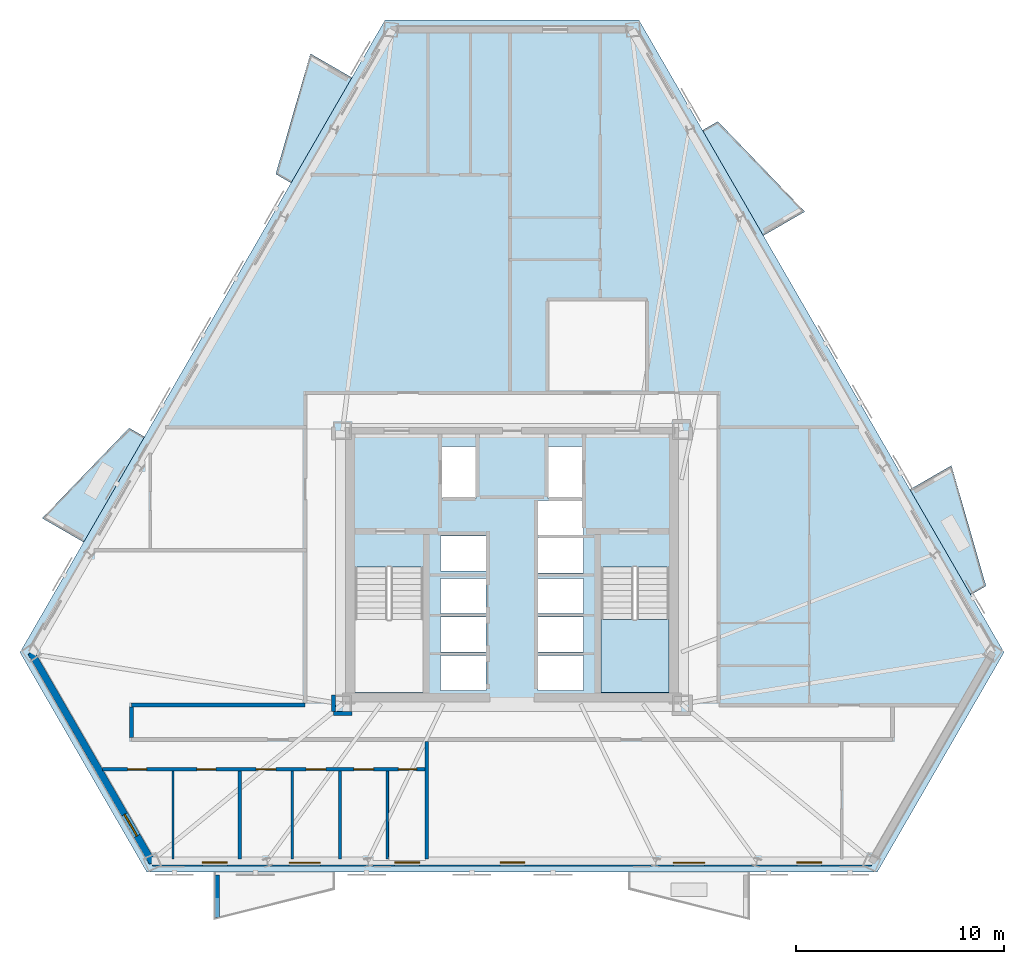
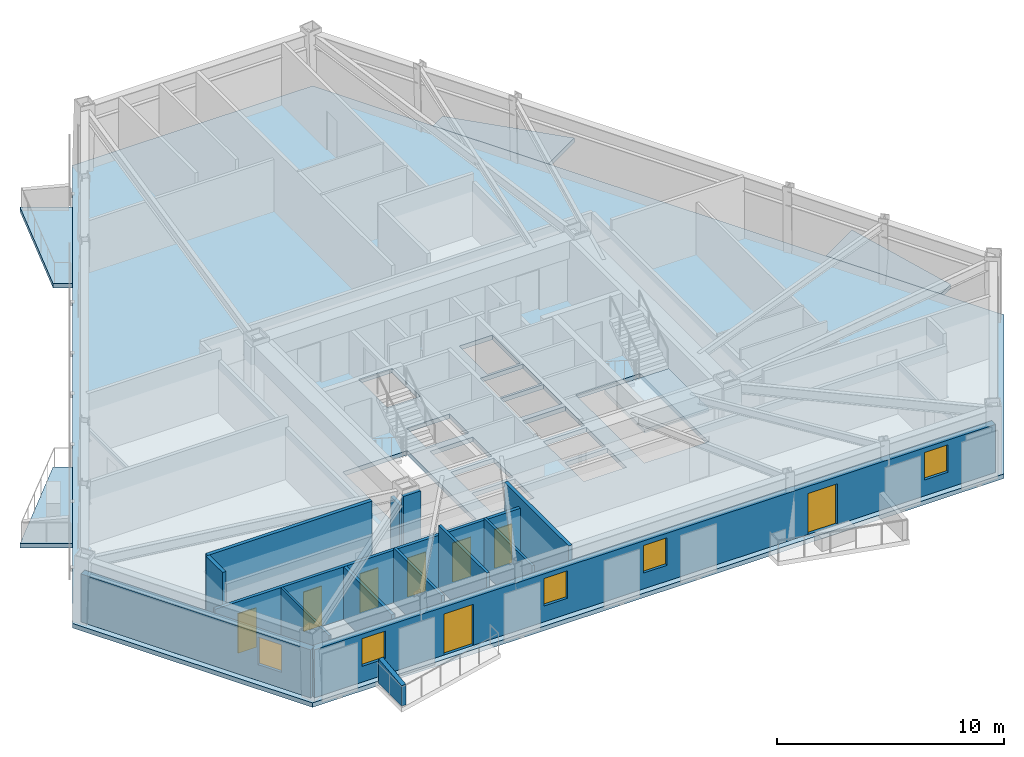
# One storey, part 2 of 9: 14 walls, 8 doors, 6 slabs, 5 windows, 13 openings, 1 element without a shape of its own.
"""IFC4 building model written with IfcOpenShell, lengths in metres."""

from ifc_helpers import new_model, si_unit, direction, frame, frame_2d, origin, place, context, subcontext, project, spatial, polyline, rectangle, outline, extrude, material, layer, layer_set, type_object, element, fill, aggregate, save


model = new_model("IFC4")

# Units and contexts
model_context = context("Model", 3, precision=1e-05, world=origin(), true_north=direction((0.0, 1.0)))
body_context = subcontext(model_context, "Body", "Model", "MODEL_VIEW")
ifc_project = project(units=[si_unit("LENGTHUNIT", "METRE"), si_unit("AREAUNIT", "SQUARE_METRE"), si_unit("VOLUMEUNIT", "CUBIC_METRE"), si_unit("PLANEANGLEUNIT", "RADIAN"), si_unit("MASSUNIT", "GRAM", prefix="KILO")], contexts=[model_context])

# Site, building, storey
site_placement = place(None, origin())
site = spatial("IfcSite", under=ifc_project, at=site_placement, CompositionType="ELEMENT")
building_placement = place(site_placement, origin())
building = spatial("IfcBuilding", under=site, at=building_placement, Name="Oramaril Tower", CompositionType="ELEMENT")
storey_placement = place(building_placement, frame((0.0, 0.0, 104.10009765625)))
storey = spatial("IfcBuildingStorey", under=building, at=storey_placement, Name="L27", CompositionType="ELEMENT", Elevation=104.10009765625)

# Slabs
ifc_material_1 = material(Name="Concrete C40/50", Category="concrete")
ifc_layer_1 = layer(ifc_material_1, 0.199951171875)
ifc_layer_set_1 = layer_set([ifc_layer_1], Name="SLT-BAL20")
slab_type_1 = type_object("IfcSlabType", Name="SLT-BAL20", PredefinedType="FLOOR", material=ifc_layer_set_1)
slab_1_placement = place(storey_placement, frame((0.0, 0.0, -0.239990234375)))
element("IfcSlab", 1, at=slab_1_placement, inside=storey, type_object=slab_type_1, Name="L27 Cantilevered Balcony Slab L27-BAL-NE2", PredefinedType="FLOOR", context=body_context, shape_type="SweptSolid", body=[
    extrude(outline(polyline([(49.58837890625, 33.531982421875), (46.663330078125, 38.59814453125), (47.401123046875, 39.024169921875), (51.581787109375, 34.682861328125), (49.58837890625, 33.531982421875)])), origin(), (0.0, 0.0, 1.0), 0.239990234375),
])
slab_2_placement = place(storey_placement, frame((0.0, 0.0, -0.239990234375)))
element("IfcSlab", 2, at=slab_2_placement, inside=storey, type_object=slab_type_1, Name="L27 Cantilevered Balcony Slab L27-BAL-NW1", PredefinedType="FLOOR", context=body_context, shape_type="SweptSolid", body=[
    extrude(outline(polyline([(29.79931640625, 41.13134765625), (26.874267578125, 36.065185546875), (26.136474609375, 36.4912109375), (27.8056640625, 42.2822265625), (29.79931640625, 41.13134765625)])), origin(), (0.0, 0.0, 1.0), 0.239990234375),
])
ifc_material_2 = material(Name="Concrete C50/60", Category="concrete")
ifc_layer_2 = layer(ifc_material_2, 0.239990234375)
ifc_layer_set_2 = layer_set([ifc_layer_2], Name="SLT-FLR24")
slab_type_2 = type_object("IfcSlabType", Name="SLT-FLR24", PredefinedType="FLOOR", material=ifc_layer_set_2)
slab_3_placement = place(storey_placement, frame((0.0, 0.0, -0.239990234375)))
element("IfcSlab", 3, at=slab_3_placement, inside=storey, type_object=slab_type_2, Name="L27 Structural Floor Slab", PredefinedType="FLOOR", context=body_context, shape_type="SweptSolid", body=[
    extrude(outline(polyline([(13.834228515625, 13.483154296875), (19.936767578125, 2.913330078125), (55.063232421875, 2.913330078125), (61.165771484375, 13.483154296875), (43.6025390625, 43.903564453125), (31.3974609375, 43.903564453125), (13.834228515625, 13.483154296875)]), holes=[polyline([(29.949951171875, 17.58935546875), (29.949951171875, 11.550048828125), (33.219970703125, 11.550048828125), (33.219970703125, 17.58935546875), (29.949951171875, 17.58935546875)]), polyline([(41.780029296875, 17.58935546875), (41.780029296875, 11.550048828125), (45.050048828125, 11.550048828125), (45.050048828125, 17.58935546875), (41.780029296875, 17.58935546875)]), polyline([(34.110107421875, 20.909912109375), (35.7900390625, 20.909912109375), (35.7900390625, 23.389892578125), (34.110107421875, 23.389892578125), (34.110107421875, 20.909912109375)]), polyline([(39.2099609375, 20.909912109375), (40.889892578125, 20.909912109375), (40.889892578125, 23.389892578125), (39.2099609375, 23.389892578125), (39.2099609375, 20.909912109375)]), polyline([(34.06005859375, 11.659912109375), (36.239990234375, 11.659912109375), (36.239990234375, 13.340087890625), (34.06005859375, 13.340087890625), (34.06005859375, 11.659912109375)]), polyline([(34.06005859375, 13.510009765625), (36.239990234375, 13.510009765625), (36.239990234375, 15.18994140625), (34.06005859375, 15.18994140625), (34.06005859375, 13.510009765625)]), polyline([(34.06005859375, 15.360107421875), (36.239990234375, 15.360107421875), (36.239990234375, 17.0400390625), (34.06005859375, 17.0400390625), (34.06005859375, 15.360107421875)]), polyline([(38.760009765625, 11.659912109375), (40.93994140625, 11.659912109375), (40.93994140625, 13.340087890625), (38.760009765625, 13.340087890625), (38.760009765625, 11.659912109375)]), polyline([(38.760009765625, 13.510009765625), (40.93994140625, 13.510009765625), (40.93994140625, 15.18994140625), (38.760009765625, 15.18994140625), (38.760009765625, 13.510009765625)]), polyline([(38.760009765625, 15.360107421875), (40.93994140625, 15.360107421875), (40.93994140625, 17.0400390625), (38.760009765625, 17.0400390625), (38.760009765625, 15.360107421875)]), polyline([(34.06005859375, 17.409912109375), (36.239990234375, 17.409912109375), (36.239990234375, 19.090087890625), (34.06005859375, 19.090087890625), (34.06005859375, 17.409912109375)]), polyline([(38.760009765625, 17.31005859375), (40.93994140625, 17.31005859375), (40.93994140625, 18.989990234375), (38.760009765625, 18.989990234375), (38.760009765625, 17.31005859375)]), polyline([(38.760009765625, 19.110107421875), (40.93994140625, 19.110107421875), (40.93994140625, 20.7900390625), (38.760009765625, 20.7900390625), (38.760009765625, 19.110107421875)])]), origin(), (0.0, 0.0, 1.0), 0.239990234375),
])

# Stair, slab
ifc_material_3 = material(Name="Concrete C50/60", Category="concrete")
stair_type = type_object("IfcStairType", Name="STT-DG-3600", PredefinedType="HALF_TURN_STAIR", material=ifc_material_3)
stair_placement = place(storey_placement, origin())
stair = element("IfcStair", 4, at=stair_placement, inside=storey, type_object=stair_type, Name="L27 Protected PFP Exit Stair ST-2", PredefinedType="HALF_TURN_STAIR")
ifc_material_4 = material(Name="Concrete C50/60", Category="concrete")
ifc_layer_3 = layer(ifc_material_4, 0.199951171875)
ifc_layer_set_3 = layer_set([ifc_layer_3], Name="SLT-LND20")
slab_type_3 = type_object("IfcSlabType", Name="SLT-LND20", PredefinedType="LANDING", material=ifc_layer_set_3)
slab_4_placement = place(storey_placement, frame((0.0, 0.0, 1.599853515625)))
slab_4 = element("IfcSlab", 5, at=slab_4_placement, type_object=slab_type_3, Name="ST-2 landing 1", PredefinedType="LANDING", context=body_context, shape_type="SweptSolid", body=[
    extrude(outline(polyline([(41.780029296875, 15.070068359375), (41.780029296875, 11.550048828125), (45.050048828125, 11.550048828125), (45.050048828125, 15.070068359375), (41.780029296875, 15.070068359375)])), origin(), (0.0, 0.0, 1.0), 0.199951171875),
])
aggregate(stair, [slab_4])

# Slabs
ifc_material_5 = material(Name="Concrete C40/50", Category="concrete")
ifc_layer_4 = layer(ifc_material_5, 0.18994140625)
ifc_layer_set_4 = layer_set([ifc_layer_4], Name="SLT-PLN19")
slab_type_4 = type_object("IfcSlabType", Name="SLT-PLN19", PredefinedType="FLOOR", material=ifc_layer_set_4)
slab_5_placement = place(storey_placement, frame((0.0, 0.0, -0.239990234375)))
element("IfcSlab", 6, at=slab_5_placement, inside=storey, type_object=slab_type_4, Name="L27 Tree Planter Balcony Slab L27-BAL-NE1", PredefinedType="FLOOR", context=body_context, shape_type="SweptSolid", body=[
    extrude(outline(polyline([(59.564208984375, 16.25341796875), (56.63916015625, 21.319580078125), (58.6328125, 22.470703125), (60.302001953125, 16.679443359375), (59.564208984375, 16.25341796875)])), origin(), (0.0, 0.0, 1.0), 0.239990234375),
])
slab_6_placement = place(storey_placement, frame((0.0, 0.0, -0.239990234375)))
element("IfcSlab", 7, at=slab_6_placement, inside=storey, type_object=slab_type_4, Name="L27 Tree Planter Balcony Slab L27-BAL-NW2", PredefinedType="FLOOR", context=body_context, shape_type="SweptSolid", body=[
    extrude(outline(polyline([(19.823486328125, 23.852783203125), (16.8984375, 18.78662109375), (14.90478515625, 19.9375), (19.085693359375, 24.27880859375), (19.823486328125, 23.852783203125)])), origin(), (0.0, 0.0, 1.0), 0.239990234375),
])

# Wall, opening, window
ifc_material_6 = material(Name="Warm Cream Limestone", Category="masonry")
ifc_layer_5 = layer(ifc_material_6, 0.340087890625)
ifc_layer_set_5 = layer_set([ifc_layer_5], Name="WT-EXT34")
wall_type_1 = type_object("IfcWallType", Name="WT-EXT34", PredefinedType="SOLIDWALL", material=ifc_layer_set_5)
wall_1_placement = place(storey_placement, frame((14.365478515625, 13.483154296875, 0.0), z_axis=(0.0, 0.0, 1.0), x_axis=(0.499998829152, -0.866026079773, 0.0)))
wall_1 = element("IfcWall", 8, at=wall_1_placement, inside=storey, type_object=wall_type_1, Name="L27 Tower Limestone Facade Wall 1M", PredefinedType="SOLIDWALL", context=body_context, shape_type="SweptSolid", body=[
    extrude(rectangle(XDim=11.673828125, YDim=0.340087890625, at=frame_2d((5.8369140625, 0.0))), origin(), (0.0, 0.0, 1.0), 2.577880859375),
])
opening_1_placement = place(wall_1_placement, frame((8.9951171875, 0.0, 0.85009765625)))
opening_1 = element("IfcOpeningElement", 9, at=opening_1_placement, cuts=wall_1, Name="Opening WN-09", PredefinedType="OPENING", context=body_context, shape_type="SweptSolid", body=[
    extrude(rectangle(XDim=1.199951171875, YDim=1.47998046875, at=frame_2d((0.60009765625, 0.739990234375))), frame((0.0, 0.169921875, 0.0), z_axis=(0.0, -1.0, 0.0), x_axis=(1.0, 0.0, 0.0)), (0.0, 0.0, 1.0), 0.340087890625),
])
ifc_material_7 = material(Name="Coastal Low-E Insulated Glass", Category="glass")
window_type = type_object("IfcWindowType", Name="WNT-09", PartitioningType="SINGLE_PANEL", PredefinedType="WINDOW", material=ifc_material_7)
window_1_placement = place(opening_1_placement, origin())
window_1 = element("IfcWindow", 10, at=window_1_placement, inside=storey, type_object=window_type, Name="L27 Apartment Bedroom Window WN-09", OverallHeight=1.47998046875, OverallWidth=1.199951171875, PartitioningType="SINGLE_PANEL", PredefinedType="WINDOW", context=body_context, shape_type="SweptSolid", body=[
    extrude(rectangle(XDim=1.199951171875, YDim=1.47998046875, at=frame_2d((0.60009765625, 0.739990234375))), frame((0.0, 0.030029296875, 0.0), z_axis=(0.0, -1.0, 0.0), x_axis=(1.0, 0.0, 0.0)), (0.0, 0.0, 1.0), 0.06005859375),
])
fill(opening_1, window_1)

# Wall, openings, doors, windows
wall_2_placement = place(storey_placement, frame((20.202392578125, 3.373291015625, 0.0), z_axis=(0.0, 0.0, 1.0), x_axis=(1.0, 0.0, 0.0)))
wall_2 = element("IfcWall", 11, at=wall_2_placement, inside=storey, type_object=wall_type_1, Name="L27 Tower Limestone Facade Wall 2M", PredefinedType="SOLIDWALL", context=body_context, shape_type="SweptSolid", body=[
    extrude(rectangle(XDim=34.59521484375, YDim=0.340087890625, at=frame_2d((17.297607421875, 0.0))), origin(), (0.0, 0.0, 1.0), 2.577880859375),
])
opening_2_placement = place(wall_2_placement, frame((6.579345703125, 0.0, 0.0)))
opening_2 = element("IfcOpeningElement", 12, at=opening_2_placement, cuts=wall_2, Name="Opening D-L27-BAL-S1", PredefinedType="OPENING", context=body_context, shape_type="SweptSolid", body=[
    extrude(rectangle(XDim=1.5, YDim=2.199951171875, at=frame_2d((0.75, 1.10009765625))), frame((0.0, 0.169921875, 0.0), z_axis=(0.0, -1.0, 0.0), x_axis=(1.0, 0.0, 0.0)), (0.0, 0.0, 1.0), 0.340087890625),
])
opening_3_placement = place(wall_2_placement, frame((25.06103515625, 0.0, 0.0)))
opening_3 = element("IfcOpeningElement", 13, at=opening_3_placement, cuts=wall_2, Name="Opening D-L27-BAL-S2", PredefinedType="OPENING", context=body_context, shape_type="SweptSolid", body=[
    extrude(rectangle(XDim=1.5, YDim=2.199951171875, at=frame_2d((0.75, 1.10009765625))), frame((0.0, 0.169921875, 0.0), z_axis=(0.0, -1.0, 0.0), x_axis=(1.0, 0.0, 0.0)), (0.0, 0.0, 1.0), 0.340087890625),
])
opening_4_placement = place(wall_2_placement, frame((16.720458984375, 0.0, 0.85009765625)))
opening_4 = element("IfcOpeningElement", 14, at=opening_4_placement, cuts=wall_2, Name="Opening WN-09", PredefinedType="OPENING", context=body_context, shape_type="SweptSolid", body=[
    extrude(rectangle(XDim=1.199951171875, YDim=1.47998046875, at=frame_2d((0.60009765625, 0.739990234375))), frame((0.0, 0.169921875, 0.0), z_axis=(0.0, -1.0, 0.0), x_axis=(1.0, 0.0, 0.0)), (0.0, 0.0, 1.0), 0.340087890625),
])
opening_5_placement = place(wall_2_placement, frame((30.995361328125, 0.0, 0.85009765625)))
opening_5 = element("IfcOpeningElement", 15, at=opening_5_placement, cuts=wall_2, Name="Opening WN-09", PredefinedType="OPENING", context=body_context, shape_type="SweptSolid", body=[
    extrude(rectangle(XDim=1.199951171875, YDim=1.47998046875, at=frame_2d((0.60009765625, 0.739990234375))), frame((0.0, 0.169921875, 0.0), z_axis=(0.0, -1.0, 0.0), x_axis=(1.0, 0.0, 0.0)), (0.0, 0.0, 1.0), 0.340087890625),
])
opening_6_placement = place(wall_2_placement, frame((2.40185546875, 0.0, 0.85009765625)))
opening_6 = element("IfcOpeningElement", 16, at=opening_6_placement, cuts=wall_2, Name="Opening WN-09", PredefinedType="OPENING", context=body_context, shape_type="SweptSolid", body=[
    extrude(rectangle(XDim=1.199951171875, YDim=1.47998046875, at=frame_2d((0.60009765625, 0.739990234375))), frame((0.0, 0.169921875, 0.0), z_axis=(0.0, -1.0, 0.0), x_axis=(1.0, 0.0, 0.0)), (0.0, 0.0, 1.0), 0.340087890625),
])
opening_7_placement = place(wall_2_placement, frame((11.652587890625, 0.0, 0.85009765625)))
opening_7 = element("IfcOpeningElement", 17, at=opening_7_placement, cuts=wall_2, Name="Opening WN-09", PredefinedType="OPENING", context=body_context, shape_type="SweptSolid", body=[
    extrude(rectangle(XDim=1.199951171875, YDim=1.47998046875, at=frame_2d((0.60009765625, 0.739990234375))), frame((0.0, 0.169921875, 0.0), z_axis=(0.0, -1.0, 0.0), x_axis=(1.0, 0.0, 0.0)), (0.0, 0.0, 1.0), 0.340087890625),
])
ifc_material_8 = material(Name="Anodised Aluminium 6063-T6", Category="aluminium")
door_type_1 = type_object("IfcDoorType", Name="DT-BAL", OperationType="NOTDEFINED", PredefinedType="DOOR", material=ifc_material_8)
door_1_placement = place(opening_2_placement, origin())
door_1 = element("IfcDoor", 18, at=door_1_placement, inside=storey, type_object=door_type_1, Name="L27 Balcony Glazed Door L27-BAL-S1", OperationType="SINGLE_SWING_RIGHT", OverallHeight=2.199951171875, OverallWidth=1.5, PredefinedType="DOOR", context=body_context, shape_type="SweptSolid", body=[
    extrude(rectangle(XDim=1.5, YDim=2.199951171875, at=frame_2d((0.75, 1.10009765625))), frame((0.0, 0.02490234375, 0.0), z_axis=(0.0, -1.0, 0.0), x_axis=(1.0, 0.0, 0.0)), (0.0, 0.0, 1.0), 0.050048828125),
])
fill(opening_2, door_1)
door_2_placement = place(opening_3_placement, origin())
door_2 = element("IfcDoor", 19, at=door_2_placement, inside=storey, type_object=door_type_1, Name="L27 Balcony Glazed Door L27-BAL-S2", OperationType="SINGLE_SWING_LEFT", OverallHeight=2.199951171875, OverallWidth=1.5, PredefinedType="DOOR", context=body_context, shape_type="SweptSolid", body=[
    extrude(rectangle(XDim=1.5, YDim=2.199951171875, at=frame_2d((0.75, 1.10009765625))), frame((0.0, 0.02490234375, 0.0), z_axis=(0.0, -1.0, 0.0), x_axis=(1.0, 0.0, 0.0)), (0.0, 0.0, 1.0), 0.050048828125),
])
fill(opening_3, door_2)
window_2_placement = place(opening_4_placement, origin())
window_2 = element("IfcWindow", 20, at=window_2_placement, inside=storey, type_object=window_type, Name="L27 Chicago Bay Window WN-09", OverallHeight=1.47998046875, OverallWidth=1.199951171875, PartitioningType="SINGLE_PANEL", PredefinedType="WINDOW", context=body_context, shape_type="SweptSolid", body=[
    extrude(rectangle(XDim=1.199951171875, YDim=1.47998046875, at=frame_2d((0.60009765625, 0.739990234375))), frame((0.0, 0.030029296875, 0.0), z_axis=(0.0, -1.0, 0.0), x_axis=(1.0, 0.0, 0.0)), (0.0, 0.0, 1.0), 0.06005859375),
])
fill(opening_4, window_2)
window_3_placement = place(opening_5_placement, origin())
window_3 = element("IfcWindow", 21, at=window_3_placement, inside=storey, type_object=window_type, Name="L27 Chicago Bay Window WN-09", OverallHeight=1.47998046875, OverallWidth=1.199951171875, PartitioningType="SINGLE_PANEL", PredefinedType="WINDOW", context=body_context, shape_type="SweptSolid", body=[
    extrude(rectangle(XDim=1.199951171875, YDim=1.47998046875, at=frame_2d((0.60009765625, 0.739990234375))), frame((0.0, 0.030029296875, 0.0), z_axis=(0.0, -1.0, 0.0), x_axis=(1.0, 0.0, 0.0)), (0.0, 0.0, 1.0), 0.06005859375),
])
fill(opening_5, window_3)
window_4_placement = place(opening_6_placement, origin())
window_4 = element("IfcWindow", 22, at=window_4_placement, inside=storey, type_object=window_type, Name="L27 Chicago Bay Window WN-09", OverallHeight=1.47998046875, OverallWidth=1.199951171875, PartitioningType="SINGLE_PANEL", PredefinedType="WINDOW", context=body_context, shape_type="SweptSolid", body=[
    extrude(rectangle(XDim=1.199951171875, YDim=1.47998046875, at=frame_2d((0.60009765625, 0.739990234375))), frame((0.0, 0.030029296875, 0.0), z_axis=(0.0, -1.0, 0.0), x_axis=(1.0, 0.0, 0.0)), (0.0, 0.0, 1.0), 0.06005859375),
])
fill(opening_6, window_4)
window_5_placement = place(opening_7_placement, origin())
window_5 = element("IfcWindow", 23, at=window_5_placement, inside=storey, type_object=window_type, Name="L27 Chicago Bay Window WN-09", OverallHeight=1.47998046875, OverallWidth=1.199951171875, PartitioningType="SINGLE_PANEL", PredefinedType="WINDOW", context=body_context, shape_type="SweptSolid", body=[
    extrude(rectangle(XDim=1.199951171875, YDim=1.47998046875, at=frame_2d((0.60009765625, 0.739990234375))), frame((0.0, 0.030029296875, 0.0), z_axis=(0.0, -1.0, 0.0), x_axis=(1.0, 0.0, 0.0)), (0.0, 0.0, 1.0), 0.06005859375),
])
fill(opening_7, window_5)

# Walls
ifc_material_9 = material(Name="Concrete C40/50", Category="concrete")
ifc_layer_6 = layer(ifc_material_9, 0.22998046875)
ifc_layer_set_6 = layer_set([ifc_layer_6], Name="WT-PRP23")
wall_type_2 = type_object("IfcWallType", Name="WT-PRP23", PredefinedType="PARAPET", material=ifc_layer_set_6)
wall_3_placement = place(storey_placement, frame((23.316650390625, 2.775390625, 0.0), z_axis=(0.0, 0.0, 1.0), x_axis=(0.0, -1.0, 0.0)))
element("IfcWall", 24, at=wall_3_placement, inside=storey, type_object=wall_type_2, Name="L27 Trapezoidal Balcony Frame Cheek L27-BAL-S1-L", PredefinedType="PARAPET", context=body_context, shape_type="SweptSolid", body=[
    extrude(outline(polyline([(0.0, 0.0), (2.0419921875, 0.0), (2.0419921875, 1.099853515625), (0.0, 1.31982421875), (0.0, 0.0)])), frame((0.0, 0.114990234375, 0.0), z_axis=(0.0, -1.0, 0.0), x_axis=(1.0, 0.0, 0.0)), (0.0, 0.0, 1.0), 0.22998046875),
])
ifc_material_10 = material(Name="Acoustic Gypsum Board Partition")
ifc_layer_7 = layer(ifc_material_10, 0.10009765625)
ifc_layer_set_7 = layer_set([ifc_layer_7], Name="WT-PT10")
wall_type_3 = type_object("IfcWallType", Name="WT-PT10", PredefinedType="PARTITIONING", material=ifc_layer_set_7)
wall_4_placement = place(storey_placement, frame((21.18994140625, 3.54736328125, 0.0), z_axis=(0.0, 0.0, 1.0), x_axis=(0.0, 1.0, 0.0)))
element("IfcWall", 25, at=wall_4_placement, inside=storey, type_object=wall_type_3, Name="L27 Interior Partition PT-10", PredefinedType="PARTITIONING", context=body_context, shape_type="SweptSolid", body=[
    extrude(rectangle(XDim=4.238525390625, YDim=0.10009765625, at=frame_2d((2.119140625, 0.0))), origin(), (0.0, 0.0, 1.0), 2.81396484375),
])
ifc_material_11 = material(Name="Acoustic Gypsum Board Partition")
ifc_layer_8 = layer(ifc_material_11, 0.1201171875)
ifc_layer_set_8 = layer_set([ifc_layer_8], Name="WT-PT12")
wall_type_4 = type_object("IfcWallType", Name="WT-PT12", PredefinedType="PARTITIONING", material=ifc_layer_set_8)
wall_5_placement = place(storey_placement, frame((31.510009765625, 3.54736328125, 0.0), z_axis=(0.0, 0.0, 1.0), x_axis=(0.0, 1.0, 0.0)))
element("IfcWall", 26, at=wall_5_placement, inside=storey, type_object=wall_type_4, Name="L27 Interior Partition PT-12", PredefinedType="PARTITIONING", context=body_context, shape_type="SweptSolid", body=[
    extrude(rectangle(XDim=4.238525390625, YDim=0.1201171875, at=frame_2d((2.119140625, 0.0))), origin(), (0.0, 0.0, 1.0), 2.94580078125),
])
ifc_material_12 = material(Name="Acoustic Gypsum Board Partition")
ifc_layer_9 = layer(ifc_material_12, 0.139892578125)
ifc_layer_set_9 = layer_set([ifc_layer_9], Name="WT-PT14")
wall_type_5 = type_object("IfcWallType", Name="WT-PT14", PredefinedType="PARTITIONING", material=ifc_layer_set_9)
wall_6_placement = place(storey_placement, frame((26.929931640625, 3.54736328125, 0.0), z_axis=(0.0, 0.0, 1.0), x_axis=(0.0, 1.0, 0.0)))
element("IfcWall", 27, at=wall_6_placement, inside=storey, type_object=wall_type_5, Name="L27 Interior Partition PT-14", PredefinedType="PARTITIONING", context=body_context, shape_type="SweptSolid", body=[
    extrude(rectangle(XDim=4.238525390625, YDim=0.139892578125, at=frame_2d((2.119140625, 0.0))), origin(), (0.0, 0.0, 1.0), 2.94580078125),
])
wall_7_placement = place(storey_placement, frame((29.219970703125, 3.54736328125, 0.0), z_axis=(0.0, 0.0, 1.0), x_axis=(0.0, 1.0, 0.0)))
element("IfcWall", 28, at=wall_7_placement, inside=storey, type_object=wall_type_5, Name="L27 Interior Partition PT-14", PredefinedType="PARTITIONING", context=body_context, shape_type="SweptSolid", body=[
    extrude(rectangle(XDim=4.238525390625, YDim=0.139892578125, at=frame_2d((2.119140625, 0.0))), origin(), (0.0, 0.0, 1.0), 3.35986328125),
])

# Wall, openings, doors
ifc_material_13 = material(Name="Acoustic Gypsum Board Partition")
ifc_layer_10 = layer(ifc_material_13, 0.159912109375)
ifc_layer_set_10 = layer_set([ifc_layer_10], Name="WT-PT16")
wall_type_6 = type_object("IfcWallType", Name="WT-PT16", PredefinedType="PARTITIONING", material=ifc_layer_set_10)
wall_8_placement = place(storey_placement, frame((17.806884765625, 7.8701171875, 0.0), z_axis=(0.0, 0.0, 1.0), x_axis=(1.0, 0.0, 0.0)))
wall_8 = element("IfcWall", 29, at=wall_8_placement, inside=storey, type_object=wall_type_6, Name="L27 Interior Partition PT-16", PredefinedType="PARTITIONING", context=body_context, shape_type="SweptSolid", body=[
    extrude(rectangle(XDim=15.64306640625, YDim=0.159912109375, at=frame_2d((7.821533203125, 0.0))), origin(), (0.0, 0.0, 1.0), 2.81396484375),
])
opening_8_placement = place(wall_8_placement, frame((1.201904296875, 0.0, 0.0)))
opening_8 = element("IfcOpeningElement", 30, at=opening_8_placement, cuts=wall_8, Name="Opening D-L27-01", PredefinedType="OPENING", context=body_context, shape_type="SweptSolid", body=[
    extrude(rectangle(XDim=0.919921875, YDim=2.1201171875, at=frame_2d((0.4599609375, 1.06005859375))), frame((0.0, 0.080078125, 0.0), z_axis=(0.0, -1.0, 0.0), x_axis=(1.0, 0.0, 0.0)), (0.0, 0.0, 1.0), 0.159912109375),
])
opening_9_placement = place(wall_8_placement, frame((4.530029296875, 0.0, 0.0)))
opening_9 = element("IfcOpeningElement", 31, at=opening_9_placement, cuts=wall_8, Name="Opening D-L27-02", PredefinedType="OPENING", context=body_context, shape_type="SweptSolid", body=[
    extrude(rectangle(XDim=0.919921875, YDim=2.1201171875, at=frame_2d((0.4599609375, 1.06005859375))), frame((0.0, 0.080078125, 0.0), z_axis=(0.0, -1.0, 0.0), x_axis=(1.0, 0.0, 0.0)), (0.0, 0.0, 1.0), 0.159912109375),
])
opening_10_placement = place(wall_8_placement, frame((7.38427734375, 0.0, 0.0)))
opening_10 = element("IfcOpeningElement", 32, at=opening_10_placement, cuts=wall_8, Name="Opening D-L27-03", PredefinedType="OPENING", context=body_context, shape_type="SweptSolid", body=[
    extrude(rectangle(XDim=0.949951171875, YDim=2.10009765625, at=frame_2d((0.47509765625, 1.050048828125))), frame((0.0, 0.080078125, 0.0), z_axis=(0.0, -1.0, 0.0), x_axis=(1.0, 0.0, 0.0)), (0.0, 0.0, 1.0), 0.159912109375),
])
opening_11_placement = place(wall_8_placement, frame((9.794189453125, 0.0, 0.0)))
opening_11 = element("IfcOpeningElement", 33, at=opening_11_placement, cuts=wall_8, Name="Opening D-L27-04", PredefinedType="OPENING", context=body_context, shape_type="SweptSolid", body=[
    extrude(rectangle(XDim=0.949951171875, YDim=2.10009765625, at=frame_2d((0.47509765625, 1.050048828125))), frame((0.0, 0.080078125, 0.0), z_axis=(0.0, -1.0, 0.0), x_axis=(1.0, 0.0, 0.0)), (0.0, 0.0, 1.0), 0.159912109375),
])
opening_12_placement = place(wall_8_placement, frame((12.0849609375, 0.0, 0.0)))
opening_12 = element("IfcOpeningElement", 34, at=opening_12_placement, cuts=wall_8, Name="Opening D-L27-05", PredefinedType="OPENING", context=body_context, shape_type="SweptSolid", body=[
    extrude(rectangle(XDim=0.949951171875, YDim=2.10009765625, at=frame_2d((0.47509765625, 1.050048828125))), frame((0.0, 0.080078125, 0.0), z_axis=(0.0, -1.0, 0.0), x_axis=(1.0, 0.0, 0.0)), (0.0, 0.0, 1.0), 0.159912109375),
])
opening_13_placement = place(wall_8_placement, frame((14.222900390625, 0.0, 0.0)))
opening_13 = element("IfcOpeningElement", 35, at=opening_13_placement, cuts=wall_8, Name="Opening D-L27-06", PredefinedType="OPENING", context=body_context, shape_type="SweptSolid", body=[
    extrude(rectangle(XDim=0.8798828125, YDim=2.080078125, at=frame_2d((0.43994140625, 1.0400390625))), frame((0.0, 0.080078125, 0.0), z_axis=(0.0, -1.0, 0.0), x_axis=(1.0, 0.0, 0.0)), (0.0, 0.0, 1.0), 0.159912109375),
])
ifc_material_14 = material(Name="FSC Brazilian Freijo Hardwood", Category="wood")
door_type_2 = type_object("IfcDoorType", Name="DT-BATH", OperationType="NOTDEFINED", PredefinedType="DOOR", material=ifc_material_14)
door_3_placement = place(opening_13_placement, origin())
door_3 = element("IfcDoor", 36, at=door_3_placement, inside=storey, type_object=door_type_2, Name="L27 Flat L27-U2 Bathroom Door D-L27-06", OperationType="SINGLE_SWING_RIGHT", OverallHeight=2.080078125, OverallWidth=0.8798828125, PredefinedType="DOOR", context=body_context, shape_type="SweptSolid", body=[
    extrude(rectangle(XDim=0.8798828125, YDim=2.080078125, at=frame_2d((0.43994140625, 1.0400390625))), frame((0.0, 0.02490234375, 0.0), z_axis=(0.0, -1.0, 0.0), x_axis=(1.0, 0.0, 0.0)), (0.0, 0.0, 1.0), 0.050048828125),
])
fill(opening_13, door_3)
ifc_material_15 = material(Name="FSC Brazilian Freijo Hardwood", Category="wood")
door_type_3 = type_object("IfcDoorType", Name="DT-BED", OperationType="NOTDEFINED", PredefinedType="DOOR", material=ifc_material_15)
door_4_placement = place(opening_8_placement, origin())
door_4 = element("IfcDoor", 37, at=door_4_placement, inside=storey, type_object=door_type_3, Name="L27 Flat L27-U2 Master Bedroom Door D-L27-01", OperationType="SINGLE_SWING_LEFT", OverallHeight=2.1201171875, OverallWidth=0.919921875, PredefinedType="DOOR", context=body_context, shape_type="SweptSolid", body=[
    extrude(rectangle(XDim=0.919921875, YDim=2.1201171875, at=frame_2d((0.4599609375, 1.06005859375))), frame((0.0, 0.02490234375, 0.0), z_axis=(0.0, -1.0, 0.0), x_axis=(1.0, 0.0, 0.0)), (0.0, 0.0, 1.0), 0.050048828125),
])
fill(opening_8, door_4)
door_5_placement = place(opening_9_placement, origin())
door_5 = element("IfcDoor", 38, at=door_5_placement, inside=storey, type_object=door_type_3, Name="L27 Flat L27-U2 Bedroom 2 Door D-L27-02", OperationType="SINGLE_SWING_RIGHT", OverallHeight=2.1201171875, OverallWidth=0.919921875, PredefinedType="DOOR", context=body_context, shape_type="SweptSolid", body=[
    extrude(rectangle(XDim=0.919921875, YDim=2.1201171875, at=frame_2d((0.4599609375, 1.06005859375))), frame((0.0, 0.02490234375, 0.0), z_axis=(0.0, -1.0, 0.0), x_axis=(1.0, 0.0, 0.0)), (0.0, 0.0, 1.0), 0.050048828125),
])
fill(opening_9, door_5)
ifc_material_16 = material(Name="FSC Brazilian Freijo Hardwood", Category="wood")
door_type_4 = type_object("IfcDoorType", Name="DT-STDY", OperationType="NOTDEFINED", PredefinedType="DOOR", material=ifc_material_16)
door_6_placement = place(opening_10_placement, origin())
door_6 = element("IfcDoor", 39, at=door_6_placement, inside=storey, type_object=door_type_4, Name="L27 Flat L27-U2 Dining Room Door D-L27-03", OperationType="SINGLE_SWING_LEFT", OverallHeight=2.10009765625, OverallWidth=0.949951171875, PredefinedType="DOOR", context=body_context, shape_type="SweptSolid", body=[
    extrude(rectangle(XDim=0.949951171875, YDim=2.10009765625, at=frame_2d((0.47509765625, 1.050048828125))), frame((0.0, 0.02490234375, 0.0), z_axis=(0.0, -1.0, 0.0), x_axis=(1.0, 0.0, 0.0)), (0.0, 0.0, 1.0), 0.050048828125),
])
fill(opening_10, door_6)
door_7_placement = place(opening_11_placement, origin())
door_7 = element("IfcDoor", 40, at=door_7_placement, inside=storey, type_object=door_type_4, Name="L27 Flat L27-U2 Private Dining Room Door D-L27-04", OperationType="SINGLE_SWING_RIGHT", OverallHeight=2.10009765625, OverallWidth=0.949951171875, PredefinedType="DOOR", context=body_context, shape_type="SweptSolid", body=[
    extrude(rectangle(XDim=0.949951171875, YDim=2.10009765625, at=frame_2d((0.47509765625, 1.050048828125))), frame((0.0, 0.02490234375, 0.0), z_axis=(0.0, -1.0, 0.0), x_axis=(1.0, 0.0, 0.0)), (0.0, 0.0, 1.0), 0.050048828125),
])
fill(opening_11, door_7)
door_8_placement = place(opening_12_placement, origin())
door_8 = element("IfcDoor", 41, at=door_8_placement, inside=storey, type_object=door_type_4, Name="L27 Flat L27-U2 Kitchen Door D-L27-05", OperationType="SINGLE_SWING_LEFT", OverallHeight=2.10009765625, OverallWidth=0.949951171875, PredefinedType="DOOR", context=body_context, shape_type="SweptSolid", body=[
    extrude(rectangle(XDim=0.949951171875, YDim=2.10009765625, at=frame_2d((0.47509765625, 1.050048828125))), frame((0.0, 0.02490234375, 0.0), z_axis=(0.0, -1.0, 0.0), x_axis=(1.0, 0.0, 0.0)), (0.0, 0.0, 1.0), 0.050048828125),
])
fill(opening_12, door_8)

# Walls
wall_9_placement = place(storey_placement, frame((24.39990234375, 3.54736328125, 0.0), z_axis=(0.0, 0.0, 1.0), x_axis=(0.0, 1.0, 0.0)))
element("IfcWall", 42, at=wall_9_placement, inside=storey, type_object=wall_type_6, Name="L27 Interior Partition PT-16", PredefinedType="PARTITIONING", context=body_context, shape_type="SweptSolid", body=[
    extrude(rectangle(XDim=4.238525390625, YDim=0.159912109375, at=frame_2d((2.119140625, 0.0))), origin(), (0.0, 0.0, 1.0), 2.81396484375),
])
ifc_material_17 = material(Name="Autoclaved Cellular Concrete Block", Category="concrete")
ifc_layer_11 = layer(ifc_material_17, 0.179931640625)
ifc_layer_set_11 = layer_set([ifc_layer_11], Name="WT-PT18")
wall_type_7 = type_object("IfcWallType", Name="WT-PT18", PredefinedType="PARTITIONING", material=ifc_layer_set_11)
wall_10_placement = place(storey_placement, frame((28.905029296875, 10.550048828125, 0.0), z_axis=(0.0, 0.0, 1.0), x_axis=(1.0, 0.0, 0.0)))
element("IfcWall", 43, at=wall_10_placement, inside=storey, type_object=wall_type_7, Name="L27 Interior Partition PT-18", PredefinedType="PARTITIONING", context=body_context, shape_type="SweptSolid", body=[
    extrude(rectangle(XDim=0.889892578125, YDim=0.179931640625, at=frame_2d((0.44482421875, 0.0))), origin(), (0.0, 0.0, 1.0), 3.35986328125),
])
wall_11_placement = place(storey_placement, frame((19.199951171875, 10.949951171875, 0.0), z_axis=(0.0, 0.0, 1.0), x_axis=(1.0, 0.0, 0.0)))
element("IfcWall", 44, at=wall_11_placement, inside=storey, type_object=wall_type_7, Name="L27 Interior Partition PT-18", PredefinedType="PARTITIONING", context=body_context, shape_type="SweptSolid", body=[
    extrude(rectangle(XDim=8.35009765625, YDim=0.179931640625, at=frame_2d((4.175048828125, 0.0))), origin(), (0.0, 0.0, 1.0), 3.35986328125),
])
wall_12_placement = place(storey_placement, frame((19.199951171875, 9.39404296875, 0.0), z_axis=(0.0, 0.0, 1.0), x_axis=(0.0, 1.0, 0.0)))
element("IfcWall", 45, at=wall_12_placement, inside=storey, type_object=wall_type_7, Name="L27 Interior Partition PT-18", PredefinedType="PARTITIONING", context=body_context, shape_type="SweptSolid", body=[
    extrude(rectangle(XDim=1.4619140625, YDim=0.179931640625, at=frame_2d((0.73095703125, 0.0))), origin(), (0.0, 0.0, 1.0), 3.35986328125),
])
wall_13_placement = place(storey_placement, frame((28.909912109375, 10.64404296875, 0.0), z_axis=(0.0, 0.0, 1.0), x_axis=(0.0, 1.0, 0.0)))
element("IfcWall", 46, at=wall_13_placement, inside=storey, type_object=wall_type_7, Name="L27 Interior Partition PT-18", PredefinedType="PARTITIONING", context=body_context, shape_type="SweptSolid", body=[
    extrude(rectangle(XDim=0.7958984375, YDim=0.179931640625, at=frame_2d((0.39794921875, 0.0))), origin(), (0.0, 0.0, 1.0), 2.81396484375),
])
wall_14_placement = place(storey_placement, frame((33.39990234375, 3.54736328125, 0.0), z_axis=(0.0, 0.0, 1.0), x_axis=(0.0, 1.0, 0.0)))
element("IfcWall", 47, at=wall_14_placement, inside=storey, type_object=wall_type_7, Name="L27 Interior Partition PT-18", PredefinedType="PARTITIONING", context=body_context, shape_type="SweptSolid", body=[
    extrude(rectangle(XDim=5.65869140625, YDim=0.179931640625, at=frame_2d((2.829345703125, 0.0))), origin(), (0.0, 0.0, 1.0), 3.35986328125),
])

save(model, "model.ifc")
